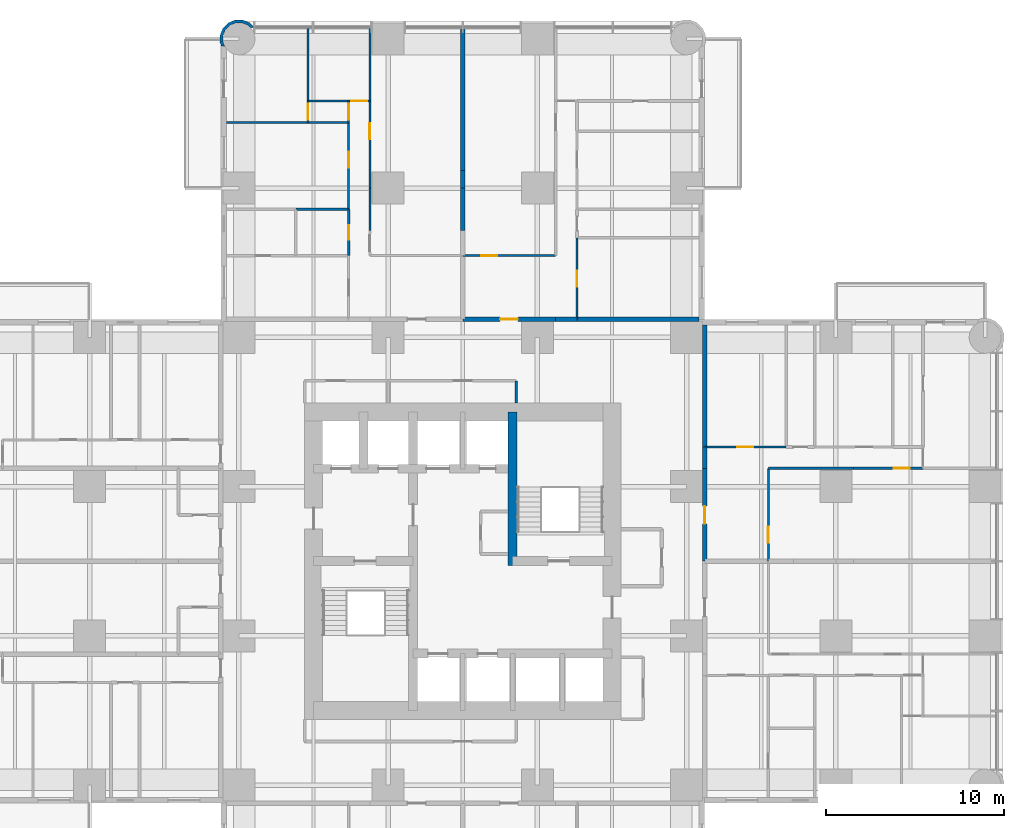
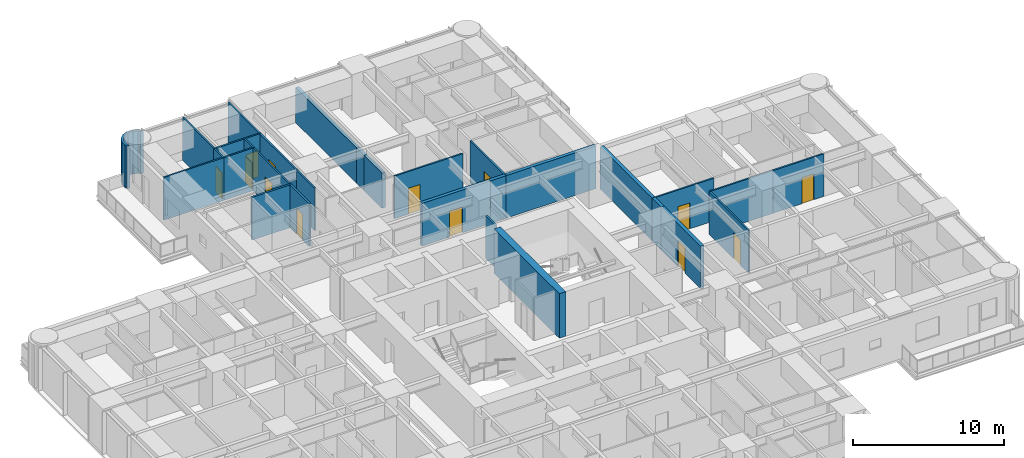
# One storey, part 13 of 17: 31 walls, 13 doors, 13 openings.
"""IFC4 building model written with IfcOpenShell, lengths in metres."""

from ifc_helpers import new_model, si_unit, direction, frame, frame_2d, origin, place, context, subcontext, project, spatial, polyline, rectangle, outline, extrude, material, layer, layer_set, type_object, element, fill, save


model = new_model("IFC4")

# Units and contexts
model_context = context("Model", 3, precision=1e-05, world=origin(), true_north=direction((0.0, 1.0)))
body_context = subcontext(model_context, "Body", "Model", "MODEL_VIEW")
ifc_project = project(units=[si_unit("LENGTHUNIT", "METRE"), si_unit("AREAUNIT", "SQUARE_METRE"), si_unit("VOLUMEUNIT", "CUBIC_METRE"), si_unit("PLANEANGLEUNIT", "RADIAN"), si_unit("MASSUNIT", "GRAM", prefix="KILO")], contexts=[model_context])

# Site, building, storey
site_placement = place(None, origin())
site = spatial("IfcSite", under=ifc_project, at=site_placement, CompositionType="ELEMENT")
building_placement = place(site_placement, origin())
building = spatial("IfcBuilding", under=site, at=building_placement, Name="Torre Alcanfor", CompositionType="ELEMENT")
storey_placement = place(building_placement, frame((0.0, 0.0, 81.300048828125)))
storey = spatial("IfcBuildingStorey", under=building, at=storey_placement, Name="L20", CompositionType="ELEMENT", Elevation=81.300048828125)

# Wall, opening, door
ifc_material_1 = material(Name="Concrete block masonry, hollow blocks NMX-C-404 9 MPa", Category="masonry")
ifc_layer_1 = layer(ifc_material_1, 0.25)
ifc_layer_set_1 = layer_set([ifc_layer_1], Name="Apartment entrance wall 250 EI 60")
wall_type_1 = type_object("IfcWallType", Name="Apartment entrance wall 250 EI 60", PredefinedType="PARTITIONING", material=ifc_layer_set_1)
wall_1_placement = place(storey_placement, frame((29.39990234375, 43.02490234375, 0.0), z_axis=(0.0, 0.0, 1.0), x_axis=(1.0, 0.0, 0.0)))
wall_1 = element("IfcWall", 1, at=wall_1_placement, inside=storey, type_object=wall_type_1, Name="Partition L20-CORR / L20-N2-ZAG", PredefinedType="PARTITIONING", context=body_context, shape_type="SweptSolid", body=[
    extrude(rectangle(XDim=5.22900390625, YDim=0.25, at=frame_2d((2.614501953125, 0.0))), origin(), (0.0, 0.0, 1.0), 3.449951171875),
])
opening_1_placement = place(wall_1_placement, frame((2.10009765625, 0.0, 0.0)))
opening_1 = element("IfcOpeningElement", 2, at=opening_1_placement, cuts=wall_1, Name="Opening D-A1", PredefinedType="OPENING", context=body_context, shape_type="SweptSolid", body=[
    extrude(rectangle(XDim=1.0, YDim=2.10009765625, at=frame_2d((0.5, 1.050048828125))), frame((0.0, 0.135009765625, 0.0), z_axis=(0.0, -1.0, 0.0), x_axis=(1.0, 0.0, 0.0)), (0.0, 0.0, 1.0), 0.27001953125),
])
ifc_material_2 = material(Name="Galvanised steel sheet ASTM A653", Category="steel")
door_type_1 = type_object("IfcDoorType", Name="Apartment entrance door FD60 1000x2100", OperationType="SINGLE_SWING_LEFT", PredefinedType="DOOR", material=ifc_material_2)
door_1_placement = place(opening_1_placement, origin())
door_1 = element("IfcDoor", 3, at=door_1_placement, inside=storey, type_object=door_type_1, Name="Apartment entrance L20-N2", OperationType="SINGLE_SWING_LEFT", OverallHeight=2.10009765625, OverallWidth=1.0, PredefinedType="DOOR", context=body_context, shape_type="SweptSolid", body=[
    extrude(rectangle(XDim=1.0, YDim=2.10009765625, at=frame_2d((0.5, 1.050048828125))), frame((0.0, 0.02490234375, 0.0), z_axis=(0.0, -1.0, 0.0), x_axis=(1.0, 0.0, 0.0)), (0.0, 0.0, 1.0), 0.050048828125),
])
fill(opening_1, door_1)

# Walls
wall_2_placement = place(storey_placement, frame((34.62890625, 43.02490234375, 0.0), z_axis=(0.0, 0.0, 1.0), x_axis=(1.0, 0.0, 0.0)))
element("IfcWall", 4, at=wall_2_placement, inside=storey, type_object=wall_type_1, Name="Partition L20-CORR / L20-N2-HALL", PredefinedType="PARTITIONING", context=body_context, shape_type="SweptSolid", body=[
    extrude(rectangle(XDim=1.2001953125, YDim=0.25, at=frame_2d((0.60009765625, 0.0))), origin(), (0.0, 0.0, 1.0), 3.449951171875),
])
wall_3_placement = place(storey_placement, frame((35.8291015625, 43.02490234375, 0.0), z_axis=(0.0, 0.0, 1.0), x_axis=(1.0, 0.0, 0.0)))
element("IfcWall", 5, at=wall_3_placement, inside=storey, type_object=wall_type_1, Name="Partition L20-CORR / L20-N2-BED3", PredefinedType="PARTITIONING", context=body_context, shape_type="SweptSolid", body=[
    extrude(rectangle(XDim=6.870849609375, YDim=0.25, at=frame_2d((3.435546875, 0.0))), origin(), (0.0, 0.0, 1.0), 3.449951171875),
])

# Wall, opening, door
wall_4_placement = place(storey_placement, frame((43.02490234375, 34.62890625, 0.0), z_axis=(0.0, 0.0, 1.0), x_axis=(0.0, -1.0, 0.0)))
wall_4 = element("IfcWall", 6, at=wall_4_placement, inside=storey, type_object=wall_type_1, Name="Partition L20-CORR / L20-E1-ZAG", PredefinedType="PARTITIONING", context=body_context, shape_type="SweptSolid", body=[
    extrude(rectangle(XDim=5.22900390625, YDim=0.25, at=frame_2d((2.614501953125, 0.0))), origin(), (0.0, 0.0, 1.0), 3.449951171875),
])
opening_2_placement = place(wall_4_placement, frame((2.12890625, 0.0, 0.0)))
opening_2 = element("IfcOpeningElement", 7, at=opening_2_placement, cuts=wall_4, Name="Opening D-A1", PredefinedType="OPENING", context=body_context, shape_type="SweptSolid", body=[
    extrude(rectangle(XDim=1.0, YDim=2.10009765625, at=frame_2d((0.5, 1.050048828125))), frame((0.0, 0.135009765625, 0.0), z_axis=(0.0, -1.0, 0.0), x_axis=(1.0, 0.0, 0.0)), (0.0, 0.0, 1.0), 0.27001953125),
])
door_2_placement = place(opening_2_placement, origin())
door_2 = element("IfcDoor", 8, at=door_2_placement, inside=storey, type_object=door_type_1, Name="Apartment entrance L20-E1", OperationType="SINGLE_SWING_RIGHT", OverallHeight=2.10009765625, OverallWidth=1.0, PredefinedType="DOOR", context=body_context, shape_type="SweptSolid", body=[
    extrude(rectangle(XDim=1.0, YDim=2.10009765625, at=frame_2d((0.5, 1.050048828125))), frame((0.0, 0.02490234375, 0.0), z_axis=(0.0, -1.0, 0.0), x_axis=(1.0, 0.0, 0.0)), (0.0, 0.0, 1.0), 0.050048828125),
])
fill(opening_2, door_2)

# Walls
wall_5_placement = place(storey_placement, frame((43.02490234375, 35.8291015625, 0.0), z_axis=(0.0, 0.0, 1.0), x_axis=(0.0, -1.0, 0.0)))
element("IfcWall", 9, at=wall_5_placement, inside=storey, type_object=wall_type_1, Name="Partition L20-CORR / L20-E1-HALL", PredefinedType="PARTITIONING", context=body_context, shape_type="SweptSolid", body=[
    extrude(rectangle(XDim=1.2001953125, YDim=0.25, at=frame_2d((0.60009765625, 0.0))), origin(), (0.0, 0.0, 1.0), 3.449951171875),
])
wall_6_placement = place(storey_placement, frame((43.02490234375, 42.699951171875, 0.0), z_axis=(0.0, 0.0, 1.0), x_axis=(0.0, -1.0, 0.0)))
element("IfcWall", 10, at=wall_6_placement, inside=storey, type_object=wall_type_1, Name="Partition L20-CORR / L20-E1-BED3", PredefinedType="PARTITIONING", context=body_context, shape_type="SweptSolid", body=[
    extrude(rectangle(XDim=6.870849609375, YDim=0.25, at=frame_2d((3.435546875, 0.0))), origin(), (0.0, 0.0, 1.0), 3.449951171875),
])
ifc_material_3 = material(Name="Gypsum board on steel studs", Category="steel")
ifc_layer_2 = layer(ifc_material_3, 0.1201171875)
ifc_layer_set_2 = layer_set([ifc_layer_2], Name="Apartment partition 120")
wall_type_2 = type_object("IfcWallType", Name="Apartment partition 120", PredefinedType="PARTITIONING", material=ifc_layer_set_2)
wall_7_placement = place(storey_placement, frame((24.1708984375, 50.39990234375, 0.0), z_axis=(0.0, 0.0, 1.0), x_axis=(0.0, -1.0, 0.0)))
element("IfcWall", 11, at=wall_7_placement, inside=storey, type_object=wall_type_2, Name="Partition L20-N1-KITCHEN / L20-N1-HALL", PredefinedType="PARTITIONING", context=body_context, shape_type="SweptSolid", body=[
    extrude(rectangle(XDim=2.39990234375, YDim=0.1201171875, at=frame_2d((1.199951171875, 0.0))), origin(), (0.0, 0.0, 1.0), 3.449951171875),
])

# Wall, opening, door
wall_8_placement = place(storey_placement, frame((24.1708984375, 55.300048828125, 0.0), z_axis=(0.0, 0.0, 1.0), x_axis=(0.0, -1.0, 0.0)))
wall_8 = element("IfcWall", 12, at=wall_8_placement, inside=storey, type_object=wall_type_2, Name="Partition L20-N1-LIVING / L20-N1-HALL", PredefinedType="PARTITIONING", context=body_context, shape_type="SweptSolid", body=[
    extrude(rectangle(XDim=4.900146484375, YDim=0.1201171875, at=frame_2d((2.4501953125, 0.0))), origin(), (0.0, 0.0, 1.0), 3.449951171875),
])
opening_3_placement = place(wall_8_placement, frame((1.25, 0.0, 0.0)))
opening_3 = element("IfcOpeningElement", 13, at=opening_3_placement, cuts=wall_8, Name="Opening D-R1", PredefinedType="OPENING", context=body_context, shape_type="SweptSolid", body=[
    extrude(rectangle(XDim=0.89990234375, YDim=2.10009765625, at=frame_2d((0.449951171875, 1.050048828125))), frame((0.0, 0.070068359375, 0.0), z_axis=(0.0, -1.0, 0.0), x_axis=(1.0, 0.0, 0.0)), (0.0, 0.0, 1.0), 0.14013671875),
])
ifc_material_4 = material(Name="Timber", Category="wood")
door_type_2 = type_object("IfcDoorType", Name="Internal door 900x2100", OperationType="SINGLE_SWING_LEFT", PredefinedType="DOOR", material=ifc_material_4)
door_3_placement = place(opening_3_placement, origin())
door_3 = element("IfcDoor", 14, at=door_3_placement, inside=storey, type_object=door_type_2, Name="Door L20-N1 living", OperationType="SINGLE_SWING_RIGHT", OverallHeight=2.10009765625, OverallWidth=0.89990234375, PredefinedType="DOOR", context=body_context, shape_type="SweptSolid", body=[
    extrude(rectangle(XDim=0.89990234375, YDim=2.10009765625, at=frame_2d((0.449951171875, 1.050048828125))), frame((0.0, 0.02490234375, 0.0), z_axis=(0.0, -1.0, 0.0), x_axis=(1.0, 0.0, 0.0)), (0.0, 0.0, 1.0), 0.050048828125),
])
fill(opening_3, door_3)

# Wall
wall_9_placement = place(storey_placement, frame((24.1708984375, 59.449951171875, 0.0), z_axis=(0.0, 0.0, 1.0), x_axis=(0.0, -1.0, 0.0)))
element("IfcWall", 15, at=wall_9_placement, inside=storey, type_object=wall_type_2, Name="Partition L20-N1-LIVING / L20-N1-BED2", PredefinedType="PARTITIONING", context=body_context, shape_type="SweptSolid", body=[
    extrude(rectangle(XDim=4.14990234375, YDim=0.1201171875, at=frame_2d((2.074951171875, 0.0))), origin(), (0.0, 0.0, 1.0), 3.449951171875),
])

# Wall, opening, door
wall_10_placement = place(storey_placement, frame((22.970947265625, 54.10009765625, 0.0), z_axis=(0.0, 0.0, 1.0), x_axis=(0.0, -1.0, 0.0)))
wall_10 = element("IfcWall", 16, at=wall_10_placement, inside=storey, type_object=wall_type_2, Name="Partition L20-N1-HALL / L20-N1-BED3", PredefinedType="PARTITIONING", context=body_context, shape_type="SweptSolid", body=[
    extrude(rectangle(XDim=4.900146484375, YDim=0.1201171875, at=frame_2d((2.4501953125, 0.0))), origin(), (0.0, 0.0, 1.0), 3.449951171875),
])
opening_4_placement = place(wall_10_placement, frame((1.64990234375, 0.0, 0.0)))
opening_4 = element("IfcOpeningElement", 17, at=opening_4_placement, cuts=wall_10, Name="Opening D-R1", PredefinedType="OPENING", context=body_context, shape_type="SweptSolid", body=[
    extrude(rectangle(XDim=0.89990234375, YDim=2.10009765625, at=frame_2d((0.449951171875, 1.050048828125))), frame((0.0, 0.070068359375, 0.0), z_axis=(0.0, -1.0, 0.0), x_axis=(1.0, 0.0, 0.0)), (0.0, 0.0, 1.0), 0.14013671875),
])
door_4_placement = place(opening_4_placement, frame((0.89990234375, 0.0, 0.0), z_axis=(0.0, 0.0, 1.0), x_axis=(-1.0, 0.0, 0.0)))
door_4 = element("IfcDoor", 18, at=door_4_placement, inside=storey, type_object=door_type_2, Name="Door L20-N1 bed3", OperationType="SINGLE_SWING_RIGHT", OverallHeight=2.10009765625, OverallWidth=0.89990234375, PredefinedType="DOOR", context=body_context, shape_type="SweptSolid", body=[
    extrude(rectangle(XDim=0.89990234375, YDim=2.10009765625, at=frame_2d((0.449951171875, 1.050048828125))), frame((0.0, 0.025146484375, 0.0), z_axis=(0.0, -1.0, 0.0), x_axis=(1.0, 0.0, 0.0)), (0.0, 0.0, 1.0), 0.050048828125),
])
fill(opening_4, door_4)

wall_11_placement = place(storey_placement, frame((22.970947265625, 55.300048828125, 0.0), z_axis=(0.0, 0.0, 1.0), x_axis=(0.0, -1.0, 0.0)))
wall_11 = element("IfcWall", 19, at=wall_11_placement, inside=storey, type_object=wall_type_2, Name="Partition L20-N1-HALL / L20-N1-VEST", PredefinedType="PARTITIONING", context=body_context, shape_type="SweptSolid", body=[
    extrude(rectangle(XDim=1.199951171875, YDim=0.1201171875, at=frame_2d((0.60009765625, 0.0))), origin(), (0.0, 0.0, 1.0), 3.449951171875),
])
opening_5_placement = place(wall_11_placement, frame((0.14990234375, 0.0, 0.0)))
opening_5 = element("IfcOpeningElement", 20, at=opening_5_placement, cuts=wall_11, Name="Opening D-R1", PredefinedType="OPENING", context=body_context, shape_type="SweptSolid", body=[
    extrude(rectangle(XDim=0.89990234375, YDim=2.10009765625, at=frame_2d((0.449951171875, 1.050048828125))), frame((0.0, 0.070068359375, 0.0), z_axis=(0.0, -1.0, 0.0), x_axis=(1.0, 0.0, 0.0)), (0.0, 0.0, 1.0), 0.14013671875),
])
door_5_placement = place(opening_5_placement, frame((0.89990234375, 0.0, 0.0), z_axis=(0.0, 0.0, 1.0), x_axis=(-1.0, 0.0, 0.0)))
door_5 = element("IfcDoor", 21, at=door_5_placement, inside=storey, type_object=door_type_2, Name="Door L20-N1 vest", OperationType="SINGLE_SWING_RIGHT", OverallHeight=2.10009765625, OverallWidth=0.89990234375, PredefinedType="DOOR", context=body_context, shape_type="SweptSolid", body=[
    extrude(rectangle(XDim=0.89990234375, YDim=2.10009765625, at=frame_2d((0.449951171875, 1.050048828125))), frame((0.0, 0.025146484375, 0.0), z_axis=(0.0, -1.0, 0.0), x_axis=(1.0, 0.0, 0.0)), (0.0, 0.0, 1.0), 0.050048828125),
])
fill(opening_5, door_5)

wall_12_placement = place(storey_placement, frame((24.1708984375, 55.300048828125, 0.0), z_axis=(0.0, 0.0, 1.0), x_axis=(-1.0, 0.0, 0.0)))
wall_12 = element("IfcWall", 22, at=wall_12_placement, inside=storey, type_object=wall_type_2, Name="Partition L20-N1-HALL / L20-N1-BED2", PredefinedType="PARTITIONING", context=body_context, shape_type="SweptSolid", body=[
    extrude(rectangle(XDim=1.199951171875, YDim=0.1201171875, at=frame_2d((0.60009765625, 0.0))), origin(), (0.0, 0.0, 1.0), 3.449951171875),
])
opening_6_placement = place(wall_12_placement, frame((0.15087890625, 0.0, 0.0)))
opening_6 = element("IfcOpeningElement", 23, at=opening_6_placement, cuts=wall_12, Name="Opening D-R1", PredefinedType="OPENING", context=body_context, shape_type="SweptSolid", body=[
    extrude(rectangle(XDim=0.89990234375, YDim=2.10009765625, at=frame_2d((0.449951171875, 1.050048828125))), frame((0.0, 0.070068359375, 0.0), z_axis=(0.0, -1.0, 0.0), x_axis=(1.0, 0.0, 0.0)), (0.0, 0.0, 1.0), 0.14013671875),
])
door_6_placement = place(opening_6_placement, frame((0.89990234375, 0.0, 0.0), z_axis=(0.0, 0.0, 1.0), x_axis=(-1.0, 0.0, 0.0)))
door_6 = element("IfcDoor", 24, at=door_6_placement, inside=storey, type_object=door_type_2, Name="Door L20-N1 bed2", OperationType="SINGLE_SWING_RIGHT", OverallHeight=2.10009765625, OverallWidth=0.89990234375, PredefinedType="DOOR", context=body_context, shape_type="SweptSolid", body=[
    extrude(rectangle(XDim=0.89990234375, YDim=2.10009765625, at=frame_2d((0.449951171875, 1.050048828125))), frame((0.0, 0.025146484375, 0.0), z_axis=(0.0, -1.0, 0.0), x_axis=(1.0, 0.0, 0.0)), (0.0, 0.0, 1.0), 0.050048828125),
])
fill(opening_6, door_6)

# Walls
wall_13_placement = place(storey_placement, frame((22.970947265625, 54.10009765625, 0.0), z_axis=(0.0, 0.0, 1.0), x_axis=(-1.0, 0.0, 0.0)))
element("IfcWall", 25, at=wall_13_placement, inside=storey, type_object=wall_type_2, Name="Partition L20-N1-BED3 / L20-N1-VEST", PredefinedType="PARTITIONING", context=body_context, shape_type="SweptSolid", body=[
    extrude(rectangle(XDim=2.284912109375, YDim=0.1201171875, at=frame_2d((1.142578125, 0.0))), origin(), (0.0, 0.0, 1.0), 3.449951171875),
])
wall_14_placement = place(storey_placement, frame((20.68603515625, 54.10009765625, 0.0), z_axis=(0.0, 0.0, 1.0), x_axis=(-1.0, 0.0, 0.0)))
element("IfcWall", 26, at=wall_14_placement, inside=storey, type_object=wall_type_2, Name="Partition L20-N1-BED3 / L20-N1-MASTER", PredefinedType="PARTITIONING", context=body_context, shape_type="SweptSolid", body=[
    extrude(rectangle(XDim=4.5859375, YDim=0.1201171875, at=frame_2d((2.29296875, 0.0))), origin(), (0.0, 0.0, 1.0), 3.449951171875),
])
wall_15_placement = place(storey_placement, frame((22.970947265625, 55.300048828125, 0.0), z_axis=(0.0, 0.0, 1.0), x_axis=(-1.0, 0.0, 0.0)))
element("IfcWall", 27, at=wall_15_placement, inside=storey, type_object=wall_type_2, Name="Partition L20-N1-VEST / L20-N1-BED2", PredefinedType="PARTITIONING", context=body_context, shape_type="SweptSolid", body=[
    extrude(rectangle(XDim=2.284912109375, YDim=0.1201171875, at=frame_2d((1.142578125, 0.0))), origin(), (0.0, 0.0, 1.0), 3.449951171875),
])

# Wall, opening, door
wall_16_placement = place(storey_placement, frame((20.68603515625, 55.300048828125, 0.0), z_axis=(0.0, 0.0, 1.0), x_axis=(0.0, -1.0, 0.0)))
wall_16 = element("IfcWall", 28, at=wall_16_placement, inside=storey, type_object=wall_type_2, Name="Partition L20-N1-VEST / L20-N1-MASTER", PredefinedType="PARTITIONING", context=body_context, shape_type="SweptSolid", body=[
    extrude(rectangle(XDim=1.199951171875, YDim=0.1201171875, at=frame_2d((0.60009765625, 0.0))), origin(), (0.0, 0.0, 1.0), 3.449951171875),
])
opening_7_placement = place(wall_16_placement, frame((0.14990234375, 0.0, 0.0)))
opening_7 = element("IfcOpeningElement", 29, at=opening_7_placement, cuts=wall_16, Name="Opening D-R1", PredefinedType="OPENING", context=body_context, shape_type="SweptSolid", body=[
    extrude(rectangle(XDim=0.89990234375, YDim=2.10009765625, at=frame_2d((0.449951171875, 1.050048828125))), frame((0.0, 0.070068359375, 0.0), z_axis=(0.0, -1.0, 0.0), x_axis=(1.0, 0.0, 0.0)), (0.0, 0.0, 1.0), 0.14013671875),
])
door_7_placement = place(opening_7_placement, origin())
door_7 = element("IfcDoor", 30, at=door_7_placement, inside=storey, type_object=door_type_2, Name="Door L20-N1 master", OperationType="SINGLE_SWING_LEFT", OverallHeight=2.10009765625, OverallWidth=0.89990234375, PredefinedType="DOOR", context=body_context, shape_type="SweptSolid", body=[
    extrude(rectangle(XDim=0.89990234375, YDim=2.10009765625, at=frame_2d((0.449951171875, 1.050048828125))), frame((0.0, 0.02490234375, 0.0), z_axis=(0.0, -1.0, 0.0), x_axis=(1.0, 0.0, 0.0)), (0.0, 0.0, 1.0), 0.050048828125),
])
fill(opening_7, door_7)

# Wall
wall_17_placement = place(storey_placement, frame((20.68603515625, 59.449951171875, 0.0), z_axis=(0.0, 0.0, 1.0), x_axis=(0.0, -1.0, 0.0)))
element("IfcWall", 31, at=wall_17_placement, inside=storey, type_object=wall_type_2, Name="Partition L20-N1-BED2 / L20-N1-MASTER", PredefinedType="PARTITIONING", context=body_context, shape_type="SweptSolid", body=[
    extrude(rectangle(XDim=4.14990234375, YDim=0.1201171875, at=frame_2d((2.074951171875, 0.0))), origin(), (0.0, 0.0, 1.0), 3.449951171875),
])

# Wall, opening, door
wall_18_placement = place(storey_placement, frame((29.39990234375, 46.60009765625, 0.0), z_axis=(0.0, 0.0, 1.0), x_axis=(1.0, 0.0, 0.0)))
wall_18 = element("IfcWall", 32, at=wall_18_placement, inside=storey, type_object=wall_type_2, Name="Partition L20-N2-ZAG / L20-N2-KITCHEN", PredefinedType="PARTITIONING", context=body_context, shape_type="SweptSolid", body=[
    extrude(rectangle(XDim=5.22900390625, YDim=0.1201171875, at=frame_2d((2.614501953125, 0.0))), origin(), (0.0, 0.0, 1.0), 3.449951171875),
])
opening_8_placement = place(wall_18_placement, frame((1.050048828125, 0.0, 0.0)))
opening_8 = element("IfcOpeningElement", 33, at=opening_8_placement, cuts=wall_18, Name="Opening D-R1", PredefinedType="OPENING", context=body_context, shape_type="SweptSolid", body=[
    extrude(rectangle(XDim=0.89990234375, YDim=2.10009765625, at=frame_2d((0.449951171875, 1.050048828125))), frame((0.0, 0.070068359375, 0.0), z_axis=(0.0, -1.0, 0.0), x_axis=(1.0, 0.0, 0.0)), (0.0, 0.0, 1.0), 0.14013671875),
])
door_8_placement = place(opening_8_placement, origin())
door_8 = element("IfcDoor", 34, at=door_8_placement, inside=storey, type_object=door_type_2, Name="Door L20-N2 kitchen", OperationType="SINGLE_SWING_LEFT", OverallHeight=2.10009765625, OverallWidth=0.89990234375, PredefinedType="DOOR", context=body_context, shape_type="SweptSolid", body=[
    extrude(rectangle(XDim=0.89990234375, YDim=2.10009765625, at=frame_2d((0.449951171875, 1.050048828125))), frame((0.0, 0.02490234375, 0.0), z_axis=(0.0, -1.0, 0.0), x_axis=(1.0, 0.0, 0.0)), (0.0, 0.0, 1.0), 0.050048828125),
])
fill(opening_8, door_8)

wall_19_placement = place(storey_placement, frame((35.8291015625, 47.60009765625, 0.0), z_axis=(0.0, 0.0, 1.0), x_axis=(0.0, -1.0, 0.0)))
wall_19 = element("IfcWall", 35, at=wall_19_placement, inside=storey, type_object=wall_type_2, Name="Partition L20-N2-HALL / L20-N2-BED3", PredefinedType="PARTITIONING", context=body_context, shape_type="SweptSolid", body=[
    extrude(rectangle(XDim=4.5751953125, YDim=0.1201171875, at=frame_2d((2.28759765625, 0.0))), origin(), (0.0, 0.0, 1.0), 3.449951171875),
])
opening_9_placement = place(wall_19_placement, frame((1.85009765625, 0.0, 0.0)))
opening_9 = element("IfcOpeningElement", 36, at=opening_9_placement, cuts=wall_19, Name="Opening D-R1", PredefinedType="OPENING", context=body_context, shape_type="SweptSolid", body=[
    extrude(rectangle(XDim=0.89990234375, YDim=2.10009765625, at=frame_2d((0.449951171875, 1.050048828125))), frame((0.0, 0.070068359375, 0.0), z_axis=(0.0, -1.0, 0.0), x_axis=(1.0, 0.0, 0.0)), (0.0, 0.0, 1.0), 0.14013671875),
])
door_9_placement = place(opening_9_placement, origin())
door_9 = element("IfcDoor", 37, at=door_9_placement, inside=storey, type_object=door_type_2, Name="Door L20-N2 bed3", OperationType="SINGLE_SWING_RIGHT", OverallHeight=2.10009765625, OverallWidth=0.89990234375, PredefinedType="DOOR", context=body_context, shape_type="SweptSolid", body=[
    extrude(rectangle(XDim=0.89990234375, YDim=2.10009765625, at=frame_2d((0.449951171875, 1.050048828125))), frame((0.0, 0.02490234375, 0.0), z_axis=(0.0, -1.0, 0.0), x_axis=(1.0, 0.0, 0.0)), (0.0, 0.0, 1.0), 0.050048828125),
])
fill(opening_9, door_9)

wall_20_placement = place(storey_placement, frame((46.60009765625, 29.39990234375, 0.0), z_axis=(0.0, 0.0, 1.0), x_axis=(0.0, 1.0, 0.0)))
wall_20 = element("IfcWall", 38, at=wall_20_placement, inside=storey, type_object=wall_type_2, Name="Partition L20-E1-ZAG / L20-E1-KITCHEN", PredefinedType="PARTITIONING", context=body_context, shape_type="SweptSolid", body=[
    extrude(rectangle(XDim=5.22900390625, YDim=0.1201171875, at=frame_2d((2.614501953125, 0.0))), origin(), (0.0, 0.0, 1.0), 3.449951171875),
])
opening_10_placement = place(wall_20_placement, frame((1.050048828125, 0.0, 0.0)))
opening_10 = element("IfcOpeningElement", 39, at=opening_10_placement, cuts=wall_20, Name="Opening D-R1", PredefinedType="OPENING", context=body_context, shape_type="SweptSolid", body=[
    extrude(rectangle(XDim=0.89990234375, YDim=2.10009765625, at=frame_2d((0.449951171875, 1.050048828125))), frame((0.0, 0.070068359375, 0.0), z_axis=(0.0, -1.0, 0.0), x_axis=(1.0, 0.0, 0.0)), (0.0, 0.0, 1.0), 0.14013671875),
])
door_10_placement = place(opening_10_placement, frame((0.89990234375, 0.0, 0.0), z_axis=(0.0, 0.0, 1.0), x_axis=(-1.0, 0.0, 0.0)))
door_10 = element("IfcDoor", 40, at=door_10_placement, inside=storey, type_object=door_type_2, Name="Door L20-E1 kitchen", OperationType="SINGLE_SWING_RIGHT", OverallHeight=2.10009765625, OverallWidth=0.89990234375, PredefinedType="DOOR", context=body_context, shape_type="SweptSolid", body=[
    extrude(rectangle(XDim=0.89990234375, YDim=2.10009765625, at=frame_2d((0.449951171875, 1.050048828125))), frame((0.0, 0.025146484375, 0.0), z_axis=(0.0, -1.0, 0.0), x_axis=(1.0, 0.0, 0.0)), (0.0, 0.0, 1.0), 0.050048828125),
])
fill(opening_10, door_10)

# Wall
wall_21_placement = place(storey_placement, frame((51.39990234375, 34.62890625, 0.0), z_axis=(0.0, 0.0, 1.0), x_axis=(-1.0, 0.0, 0.0)))
element("IfcWall", 41, at=wall_21_placement, inside=storey, type_object=wall_type_2, Name="Partition L20-E1-KITCHEN / L20-E1-HALL", PredefinedType="PARTITIONING", context=body_context, shape_type="SweptSolid", body=[
    extrude(rectangle(XDim=4.7998046875, YDim=0.1201171875, at=frame_2d((2.39990234375, 0.0))), origin(), (0.0, 0.0, 1.0), 3.449951171875),
])

# Wall, opening, door
wall_22_placement = place(storey_placement, frame((55.300048828125, 34.62890625, 0.0), z_axis=(0.0, 0.0, 1.0), x_axis=(-1.0, 0.0, 0.0)))
wall_22 = element("IfcWall", 42, at=wall_22_placement, inside=storey, type_object=wall_type_2, Name="Partition L20-E1-LIVING / L20-E1-HALL", PredefinedType="PARTITIONING", context=body_context, shape_type="SweptSolid", body=[
    extrude(rectangle(XDim=3.900146484375, YDim=0.1201171875, at=frame_2d((1.9501953125, 0.0))), origin(), (0.0, 0.0, 1.0), 3.449951171875),
])
opening_11_placement = place(wall_22_placement, frame((0.75, 0.0, 0.0)))
opening_11 = element("IfcOpeningElement", 43, at=opening_11_placement, cuts=wall_22, Name="Opening D-R1", PredefinedType="OPENING", context=body_context, shape_type="SweptSolid", body=[
    extrude(rectangle(XDim=0.89990234375, YDim=2.10009765625, at=frame_2d((0.449951171875, 1.050048828125))), frame((0.0, 0.070068359375, 0.0), z_axis=(0.0, -1.0, 0.0), x_axis=(1.0, 0.0, 0.0)), (0.0, 0.0, 1.0), 0.14013671875),
])
door_11_placement = place(opening_11_placement, origin())
door_11 = element("IfcDoor", 44, at=door_11_placement, inside=storey, type_object=door_type_2, Name="Door L20-E1 living", OperationType="SINGLE_SWING_RIGHT", OverallHeight=2.10009765625, OverallWidth=0.89990234375, PredefinedType="DOOR", context=body_context, shape_type="SweptSolid", body=[
    extrude(rectangle(XDim=0.89990234375, YDim=2.10009765625, at=frame_2d((0.449951171875, 1.050048828125))), frame((0.0, 0.02490234375, 0.0), z_axis=(0.0, -1.0, 0.0), x_axis=(1.0, 0.0, 0.0)), (0.0, 0.0, 1.0), 0.050048828125),
])
fill(opening_11, door_11)

wall_23_placement = place(storey_placement, frame((47.60009765625, 35.8291015625, 0.0), z_axis=(0.0, 0.0, 1.0), x_axis=(-1.0, 0.0, 0.0)))
wall_23 = element("IfcWall", 45, at=wall_23_placement, inside=storey, type_object=wall_type_2, Name="Partition L20-E1-HALL / L20-E1-BED3", PredefinedType="PARTITIONING", context=body_context, shape_type="SweptSolid", body=[
    extrude(rectangle(XDim=4.5751953125, YDim=0.1201171875, at=frame_2d((2.28759765625, 0.0))), origin(), (0.0, 0.0, 1.0), 3.449951171875),
])
opening_12_placement = place(wall_23_placement, frame((1.85009765625, 0.0, 0.0)))
opening_12 = element("IfcOpeningElement", 46, at=opening_12_placement, cuts=wall_23, Name="Opening D-R1", PredefinedType="OPENING", context=body_context, shape_type="SweptSolid", body=[
    extrude(rectangle(XDim=0.89990234375, YDim=2.10009765625, at=frame_2d((0.449951171875, 1.050048828125))), frame((0.0, 0.070068359375, 0.0), z_axis=(0.0, -1.0, 0.0), x_axis=(1.0, 0.0, 0.0)), (0.0, 0.0, 1.0), 0.14013671875),
])
door_12_placement = place(opening_12_placement, frame((0.89990234375, 0.0, 0.0), z_axis=(0.0, 0.0, 1.0), x_axis=(-1.0, 0.0, 0.0)))
door_12 = element("IfcDoor", 47, at=door_12_placement, inside=storey, type_object=door_type_2, Name="Door L20-E1 bed3", OperationType="SINGLE_SWING_LEFT", OverallHeight=2.10009765625, OverallWidth=0.89990234375, PredefinedType="DOOR", context=body_context, shape_type="SweptSolid", body=[
    extrude(rectangle(XDim=0.89990234375, YDim=2.10009765625, at=frame_2d((0.449951171875, 1.050048828125))), frame((0.0, 0.025146484375, 0.0), z_axis=(0.0, -1.0, 0.0), x_axis=(1.0, 0.0, 0.0)), (0.0, 0.0, 1.0), 0.050048828125),
])
fill(opening_12, door_12)

# Walls
ifc_material_5 = material(Name="Concrete f'c 70 MPa", Category="concrete")
ifc_layer_3 = layer(ifc_material_5, 0.5)
ifc_layer_set_3 = layer_set([ifc_layer_3], Name="Core inner wall 500 f'c70")
wall_type_3 = type_object("IfcWallType", Name="Core inner wall 500 f'c70", PredefinedType="SHEAR", material=ifc_layer_set_3)
wall_24_placement = place(storey_placement, frame((32.199951171875, 29.14990234375, 0.0), z_axis=(0.0, 0.0, 1.0), x_axis=(0.0, 1.0, 0.0)))
element("IfcWall", 48, at=wall_24_placement, inside=storey, type_object=wall_type_3, Name="Core wall X322N L20", PredefinedType="SHEAR", context=body_context, shape_type="SweptSolid", body=[
    extrude(rectangle(XDim=8.650146484375, YDim=0.5, at=frame_2d((4.3251953125, 0.0))), origin(), (0.0, 0.0, 1.0), 3.599853515625),
])
ifc_material_6 = material(Name="Concrete block masonry, hollow blocks NMX-C-404 9 MPa", Category="masonry")
ifc_layer_4 = layer(ifc_material_6, 0.25)
ifc_layer_set_4 = layer_set([ifc_layer_4], Name="Party wall 250 EI 60")
wall_type_4 = type_object("IfcWallType", Name="Party wall 250 EI 60", PredefinedType="PARTITIONING", material=ifc_layer_set_4)
wall_25_placement = place(storey_placement, frame((29.39990234375, 48.0, 0.0), z_axis=(0.0, 0.0, 1.0), x_axis=(0.0, 1.0, 0.0)))
element("IfcWall", 49, at=wall_25_placement, inside=storey, type_object=wall_type_4, Name="Partition L20-N1-KITCHEN / L20-N2-KITCHEN", PredefinedType="PARTITIONING", context=body_context, shape_type="SweptSolid", body=[
    extrude(rectangle(XDim=2.39990234375, YDim=0.25, at=frame_2d((1.199951171875, 0.0))), origin(), (0.0, 0.0, 1.0), 2.847900390625),
])
wall_26_placement = place(storey_placement, frame((29.39990234375, 50.39990234375, 0.0), z_axis=(0.0, 0.0, 1.0), x_axis=(0.0, 1.0, 0.0)))
element("IfcWall", 50, at=wall_26_placement, inside=storey, type_object=wall_type_4, Name="Partition L20-N1-LIVING / L20-N2-KITCHEN", PredefinedType="PARTITIONING", context=body_context, shape_type="SweptSolid", body=[
    extrude(rectangle(XDim=1.0, YDim=0.25, at=frame_2d((0.5, 0.0))), origin(), (0.0, 0.0, 1.0), 2.847900390625),
])
wall_27_placement = place(storey_placement, frame((29.39990234375, 51.39990234375, 0.0), z_axis=(0.0, 0.0, 1.0), x_axis=(0.0, 1.0, 0.0)))
element("IfcWall", 51, at=wall_27_placement, inside=storey, type_object=wall_type_4, Name="Partition L20-N1-LIVING / L20-N2-LIVING", PredefinedType="PARTITIONING", context=body_context, shape_type="SweptSolid", body=[
    extrude(rectangle(XDim=8.050048828125, YDim=0.25, at=frame_2d((4.02490234375, 0.0))), origin(), (0.0, 0.0, 1.0), 2.847900390625),
])
ifc_material_7 = material(Name="Concrete block masonry, hollow blocks NMX-C-404 9 MPa", Category="masonry")
ifc_layer_5 = layer(ifc_material_7, 0.14990234375)
ifc_layer_set_5 = layer_set([ifc_layer_5], Name="Residents' room partition 150")
wall_type_5 = type_object("IfcWallType", Name="Residents' room partition 150", PredefinedType="PARTITIONING", material=ifc_layer_set_5)
wall_28_placement = place(storey_placement, frame((32.39990234375, 38.300048828125, 0.0), z_axis=(0.0, 0.0, 1.0), x_axis=(0.0, 1.0, 0.0)))
element("IfcWall", 52, at=wall_28_placement, inside=storey, type_object=wall_type_5, Name="Partition L20-CORR / L20-G02", PredefinedType="PARTITIONING", context=body_context, shape_type="SweptSolid", body=[
    extrude(rectangle(XDim=1.25, YDim=0.14990234375, at=frame_2d((0.625, 0.0))), origin(), (0.0, 0.0, 1.0), 3.449951171875),
])
ifc_material_8 = material(Name="Limestone cladding", Category="masonry")
ifc_layer_6 = layer(ifc_material_8, 0.0400390625, Name="Facing")
ifc_material_9 = material(Name="Ventilated air cavity")
ifc_layer_7 = layer(ifc_material_9, 0.02001953125, ventilated=True, Name="Ventilated joint")
ifc_material_10 = material(Name="Mineral wool insulation", Category="insulation")
ifc_layer_8 = layer(ifc_material_10, 0.10009765625, Name="Insulation")
ifc_material_11 = material(Name="Concrete f'c 35 MPa", Category="concrete")
ifc_layer_9 = layer(ifc_material_11, 0.139892578125, Name="Backing")
ifc_layer_set_6 = layer_set([ifc_layer_6, ifc_layer_7, ifc_layer_8, ifc_layer_9], Name="Rounded corner pier stone-clad 300")
wall_type_6 = type_object("IfcWallType", Name="Rounded corner pier stone-clad 300", PredefinedType="SOLIDWALL", material=ifc_layer_set_6)
wall_29_placement = place(storey_placement, frame((17.56659392, 59.410519256, 0.0), z_axis=(0.0, 0.0, 1.0), x_axis=(-0.377204953059, 0.926129809145, 0.0)))
element("IfcWall", 53, at=wall_29_placement, inside=storey, type_object=wall_type_6, Name="Corner pier L20 20", PredefinedType="SOLIDWALL", context=body_context, shape_type="SweptSolid", body=[
    extrude(outline(polyline([(-0.2696128896034876, 2.017259773730947), (-0.3700074466497617, 1.8406682313445892), (-0.10228391712117135, 1.84234447704578), (0.22963955939869596, 1.7071548112521016), (0.48448400216769655, 1.4552078217286728), (0.623591424193435, 1.1249193736895309), (0.6256953869469392, 0.7663384814459974), (0.4905057211532608, 0.43441500492612994), (0.23855873162983204, 0.17957056215712927), (0.0901868556189969, 0.11689353267829827), (0.010896458992050665, -0.07778365620699182), (0.024462813618203284, -0.08330911938656994), (0.3293875956360306, 0.04530321995417183), (0.4799529344667901, 0.19750641360159463), (0.4990544088845829, 0.19262629437695172), (0.507600976756774, 0.22526044306054033), (0.6260470289213595, 0.34520397592848606), (0.7850882774402169, 0.7356888832512456), (0.7822913942554518, 1.1572920874778148), (0.618751344370654, 1.5460366857348715), (0.3187584973433468, 1.8424700131097647), (-0.07172640997941271, 2.0015112616286217), (-0.24006791291721008, 2.0004813020300714), (-0.2696128896034876, 2.017259773730947)])), origin(), (0.0, 0.0, 1.0), 3.449951171875),
])

# Wall, opening, door
ifc_material_12 = material(Name="Cement board on steel studs", Category="steel")
ifc_layer_10 = layer(ifc_material_12, 0.14990234375)
ifc_layer_set_7 = layer_set([ifc_layer_10], Name="Wet area partition 150")
wall_type_7 = type_object("IfcWallType", Name="Wet area partition 150", PredefinedType="PARTITIONING", material=ifc_layer_set_7)
wall_30_placement = place(storey_placement, frame((22.970947265625, 49.199951171875, 0.0), z_axis=(0.0, 0.0, 1.0), x_axis=(0.0, -1.0, 0.0)))
wall_30 = element("IfcWall", 54, at=wall_30_placement, inside=storey, type_object=wall_type_7, Name="Partition L20-N1-HALL / L20-N1-BATH1", PredefinedType="PARTITIONING", context=body_context, shape_type="SweptSolid", body=[
    extrude(rectangle(XDim=2.599853515625, YDim=0.14990234375, at=frame_2d((1.2998046875, 0.0))), origin(), (0.0, 0.0, 1.0), 3.449951171875),
])
opening_13_placement = place(wall_30_placement, frame((0.89990234375, 0.0, 0.0)))
opening_13 = element("IfcOpeningElement", 55, at=opening_13_placement, cuts=wall_30, Name="Opening D-R2", PredefinedType="OPENING", context=body_context, shape_type="SweptSolid", body=[
    extrude(rectangle(XDim=0.800048828125, YDim=2.10009765625, at=frame_2d((0.39990234375, 1.050048828125))), frame((0.0, 0.0849609375, 0.0), z_axis=(0.0, -1.0, 0.0), x_axis=(1.0, 0.0, 0.0)), (0.0, 0.0, 1.0), 0.169921875),
])
ifc_material_13 = material(Name="Timber", Category="wood")
door_type_3 = type_object("IfcDoorType", Name="Bathroom door 800x2100", OperationType="SINGLE_SWING_LEFT", PredefinedType="DOOR", material=ifc_material_13)
door_13_placement = place(opening_13_placement, frame((0.800048828125, 0.0, 0.0), z_axis=(0.0, 0.0, 1.0), x_axis=(-1.0, 0.0, 0.0)))
door_13 = element("IfcDoor", 56, at=door_13_placement, inside=storey, type_object=door_type_3, Name="Door L20-N1 bath1", OperationType="SINGLE_SWING_RIGHT", OverallHeight=2.10009765625, OverallWidth=0.800048828125, PredefinedType="DOOR", context=body_context, shape_type="SweptSolid", body=[
    extrude(rectangle(XDim=0.800048828125, YDim=2.10009765625, at=frame_2d((0.400146484375, 1.050048828125))), frame((0.0, 0.025146484375, 0.0), z_axis=(0.0, -1.0, 0.0), x_axis=(1.0, 0.0, 0.0)), (0.0, 0.0, 1.0), 0.050048828125),
])
fill(opening_13, door_13)

# Wall
wall_31_placement = place(storey_placement, frame((22.970947265625, 49.199951171875, 0.0), z_axis=(0.0, 0.0, 1.0), x_axis=(-1.0, 0.0, 0.0)))
element("IfcWall", 57, at=wall_31_placement, inside=storey, type_object=wall_type_7, Name="Partition L20-N1-BATH1 / L20-N1-BED3", PredefinedType="PARTITIONING", context=body_context, shape_type="SweptSolid", body=[
    extrude(rectangle(XDim=2.970947265625, YDim=0.14990234375, at=frame_2d((1.4853515625, 0.0))), origin(), (0.0, 0.0, 1.0), 3.449951171875),
])

save(model, "model.ifc")
